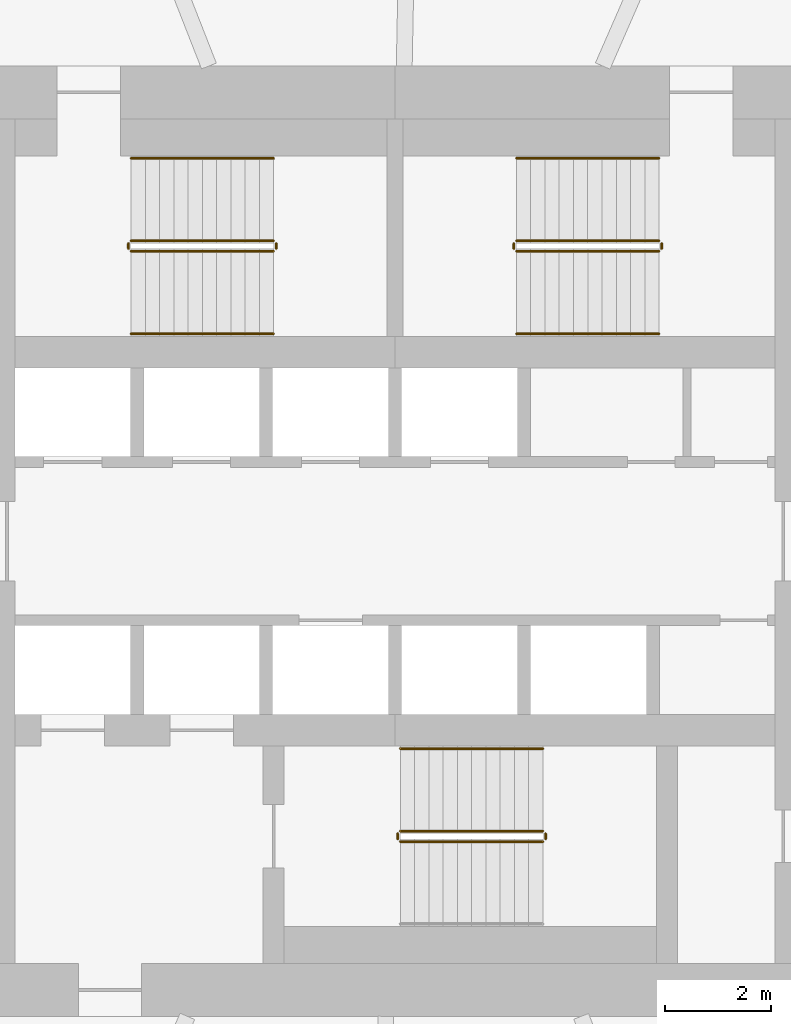
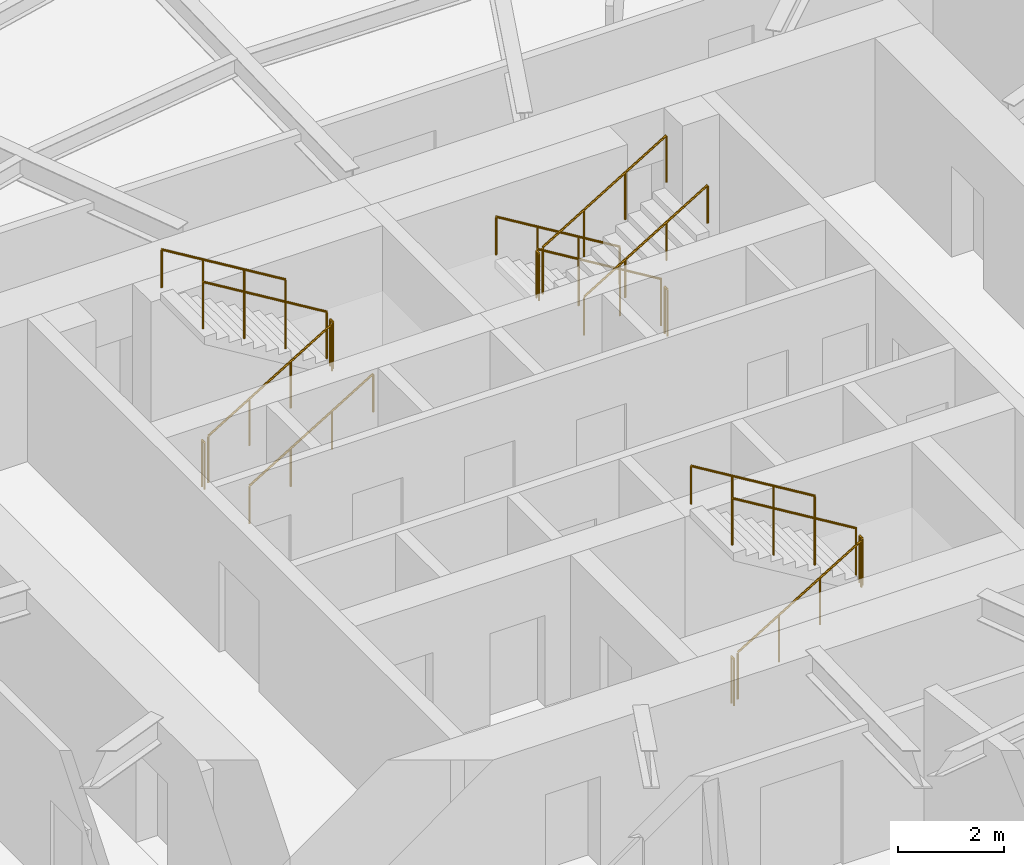
# One storey, part 13 of 14: 17 railings.
"""IFC4 building model written with IfcOpenShell, lengths in metres."""

from ifc_helpers import new_model, si_unit, direction, frame, origin, origin_2d, place, context, subcontext, project, spatial, circle, extrude, material, type_object, element, save


model = new_model("IFC4")

# Units and contexts
model_context = context("Model", 3, precision=1e-05, world=origin(), true_north=direction((0.0, 1.0)))
body_context = subcontext(model_context, "Body", "Model", "MODEL_VIEW")
ifc_project = project(units=[si_unit("LENGTHUNIT", "METRE"), si_unit("AREAUNIT", "SQUARE_METRE"), si_unit("VOLUMEUNIT", "CUBIC_METRE"), si_unit("PLANEANGLEUNIT", "RADIAN"), si_unit("MASSUNIT", "GRAM", prefix="KILO")], contexts=[model_context])

# Site, building, storey
site_placement = place(None, origin())
site = spatial("IfcSite", under=ifc_project, at=site_placement, CompositionType="ELEMENT")
building_placement = place(site_placement, origin())
building = spatial("IfcBuilding", under=site, at=building_placement, Name="Vermilion Reach Broadcast Tower", CompositionType="ELEMENT")
storey_placement = place(building_placement, frame((0.0, 0.0, 165.0)))
storey = spatial("IfcBuildingStorey", under=building, at=storey_placement, Name="L39", CompositionType="ELEMENT", Elevation=165.0)

# Railings
ifc_material_1 = material(Name="Stainless steel", Category="steel")
railing_type_1 = type_object("IfcRailingType", Name="Stair guard 1100", PredefinedType="GUARDRAIL", material=ifc_material_1)
railing_1_placement = place(storey_placement, frame((-11.0, 5.489990234375, 0.16357421875)))
element("IfcRailing", 1, at=railing_1_placement, inside=storey, type_object=railing_type_1, Name="L39 ST1 stair guard 1", PredefinedType="GUARDRAIL", context=body_context, shape_type="SweptSolid", body=[
    extrude(circle(Radius=0.02392578125, at=origin_2d()), frame((0.0, 0.0, 1.076171875), z_axis=(0.855178096276, 0.0, 0.518334277904), x_axis=(0.0, 1.0, 0.0)), (0.0, 0.0, 1.0), 3.1572265625),
    extrude(circle(Radius=0.02099609375, at=origin_2d()), origin(), (0.0, 0.0, 1.0), 1.052001953125),
    extrude(circle(Radius=0.02099609375, at=origin_2d()), frame((0.89990234375, 0.0, 0.54541015625)), (0.0, 0.0, 1.0), 1.052001953125),
    extrude(circle(Radius=0.02099609375, at=origin_2d()), frame((1.800048828125, 0.0, 1.091064453125)), (0.0, 0.0, 1.0), 1.052001953125),
    extrude(circle(Radius=0.02099609375, at=origin_2d()), frame((2.699951171875, 0.0, 1.636474609375)), (0.0, 0.0, 1.0), 1.052001953125),
])
railing_2_placement = place(storey_placement, frame((-8.25, 5.5400390625, 1.800048828125)))
element("IfcRailing", 2, at=railing_2_placement, inside=storey, type_object=railing_type_1, Name="L39 ST1 stair guard 2", PredefinedType="GUARDRAIL", context=body_context, shape_type="SweptSolid", body=[
    extrude(circle(Radius=0.02392578125, at=origin_2d()), frame((0.0, 0.0, 1.076171875), z_axis=(0.0, 1.0, 0.0), x_axis=(-1.0, 0.0, 0.0)), (0.0, 0.0, 1.0), 0.099853515625),
    extrude(circle(Radius=0.02099609375, at=origin_2d()), origin(), (0.0, 0.0, 1.0), 1.052001953125),
    extrude(circle(Radius=0.02099609375, at=origin_2d()), frame((0.0, 0.099853515625, 0.0)), (0.0, 0.0, 1.0), 1.052001953125),
])
railing_3_placement = place(storey_placement, frame((-8.300048828125, 5.68994140625, 1.963623046875)))
element("IfcRailing", 3, at=railing_3_placement, inside=storey, type_object=railing_type_1, Name="L39 ST1 stair guard 3", PredefinedType="GUARDRAIL", context=body_context, shape_type="SweptSolid", body=[
    extrude(circle(Radius=0.02392578125, at=origin_2d()), frame((0.0, 0.0, 1.076171875), z_axis=(-0.855178096276, 0.0, 0.518334277904), x_axis=(0.0, -1.0, 0.0)), (0.0, 0.0, 1.0), 3.1572265625),
    extrude(circle(Radius=0.02099609375, at=origin_2d()), origin(), (0.0, 0.0, 1.0), 1.052001953125),
    extrude(circle(Radius=0.02099609375, at=origin_2d()), frame((-0.89990234375, 0.0, 0.54541015625)), (0.0, 0.0, 1.0), 1.052001953125),
    extrude(circle(Radius=0.02099609375, at=origin_2d()), frame((-1.800048828125, 0.0, 1.091064453125)), (0.0, 0.0, 1.0), 1.052001953125),
    extrude(circle(Radius=0.02099609375, at=origin_2d()), frame((-2.699951171875, 0.0, 1.636474609375)), (0.0, 0.0, 1.0), 1.052001953125),
])
railing_4_placement = place(storey_placement, frame((-11.050048828125, 5.5400390625, 0.0)))
element("IfcRailing", 4, at=railing_4_placement, inside=storey, type_object=railing_type_1, Name="L39 ST1 stair guard 4", PredefinedType="GUARDRAIL", context=body_context, shape_type="SweptSolid", body=[
    extrude(circle(Radius=0.02392578125, at=origin_2d()), frame((0.0, 0.0, 1.076171875), z_axis=(0.0, 1.0, 0.0), x_axis=(-1.0, 0.0, 0.0)), (0.0, 0.0, 1.0), 0.099853515625),
    extrude(circle(Radius=0.02099609375, at=origin_2d()), origin(), (0.0, 0.0, 1.0), 1.052001953125),
    extrude(circle(Radius=0.02099609375, at=origin_2d()), frame((0.0, 0.099853515625, 0.0)), (0.0, 0.0, 1.0), 1.052001953125),
])
railing_5_placement = place(storey_placement, frame((-1.0, 5.68994140625, 0.16357421875)))
element("IfcRailing", 5, at=railing_5_placement, inside=storey, type_object=railing_type_1, Name="L39 ST2 stair guard 1", PredefinedType="GUARDRAIL", context=body_context, shape_type="SweptSolid", body=[
    extrude(circle(Radius=0.02392578125, at=origin_2d()), frame((0.0, 0.0, 1.076171875), z_axis=(-0.855178096276, 0.0, 0.518334277904), x_axis=(0.0, -1.0, 0.0)), (0.0, 0.0, 1.0), 3.1572265625),
    extrude(circle(Radius=0.02099609375, at=origin_2d()), origin(), (0.0, 0.0, 1.0), 1.052001953125),
    extrude(circle(Radius=0.02099609375, at=origin_2d()), frame((-0.89990234375, 0.0, 0.54541015625)), (0.0, 0.0, 1.0), 1.052001953125),
    extrude(circle(Radius=0.02099609375, at=origin_2d()), frame((-1.800048828125, 0.0, 1.091064453125)), (0.0, 0.0, 1.0), 1.052001953125),
    extrude(circle(Radius=0.02099609375, at=origin_2d()), frame((-2.699951171875, 0.0, 1.636474609375)), (0.0, 0.0, 1.0), 1.052001953125),
])
railing_6_placement = place(storey_placement, frame((-3.75, 5.639892578125, 1.800048828125)))
element("IfcRailing", 6, at=railing_6_placement, inside=storey, type_object=railing_type_1, Name="L39 ST2 stair guard 2", PredefinedType="GUARDRAIL", context=body_context, shape_type="SweptSolid", body=[
    extrude(circle(Radius=0.02392578125, at=origin_2d()), frame((0.0, 0.0, 1.076171875), z_axis=(0.0, -1.0, 0.0), x_axis=(1.0, 0.0, 0.0)), (0.0, 0.0, 1.0), 0.099853515625),
    extrude(circle(Radius=0.02099609375, at=origin_2d()), origin(), (0.0, 0.0, 1.0), 1.052001953125),
    extrude(circle(Radius=0.02099609375, at=origin_2d()), frame((0.0, -0.099853515625, 0.0)), (0.0, 0.0, 1.0), 1.052001953125),
])
railing_7_placement = place(storey_placement, frame((-3.699951171875, 5.489990234375, 1.963623046875)))
element("IfcRailing", 7, at=railing_7_placement, inside=storey, type_object=railing_type_1, Name="L39 ST2 stair guard 3", PredefinedType="GUARDRAIL", context=body_context, shape_type="SweptSolid", body=[
    extrude(circle(Radius=0.02392578125, at=origin_2d()), frame((0.0, 0.0, 1.076171875), z_axis=(0.855178096276, 0.0, 0.518334277904), x_axis=(0.0, 1.0, 0.0)), (0.0, 0.0, 1.0), 3.1572265625),
    extrude(circle(Radius=0.02099609375, at=origin_2d()), origin(), (0.0, 0.0, 1.0), 1.052001953125),
    extrude(circle(Radius=0.02099609375, at=origin_2d()), frame((0.89990234375, 0.0, 0.54541015625)), (0.0, 0.0, 1.0), 1.052001953125),
    extrude(circle(Radius=0.02099609375, at=origin_2d()), frame((1.800048828125, 0.0, 1.091064453125)), (0.0, 0.0, 1.0), 1.052001953125),
    extrude(circle(Radius=0.02099609375, at=origin_2d()), frame((2.699951171875, 0.0, 1.636474609375)), (0.0, 0.0, 1.0), 1.052001953125),
])
railing_8_placement = place(storey_placement, frame((-0.949951171875, 5.639892578125, 0.0)))
element("IfcRailing", 8, at=railing_8_placement, inside=storey, type_object=railing_type_1, Name="L39 ST2 stair guard 4", PredefinedType="GUARDRAIL", context=body_context, shape_type="SweptSolid", body=[
    extrude(circle(Radius=0.02392578125, at=origin_2d()), frame((0.0, 0.0, 1.076171875), z_axis=(0.0, -1.0, 0.0), x_axis=(1.0, 0.0, 0.0)), (0.0, 0.0, 1.0), 0.099853515625),
    extrude(circle(Radius=0.02099609375, at=origin_2d()), origin(), (0.0, 0.0, 1.0), 1.052001953125),
    extrude(circle(Radius=0.02099609375, at=origin_2d()), frame((0.0, -0.099853515625, 0.0)), (0.0, 0.0, 1.0), 1.052001953125),
])
railing_9_placement = place(storey_placement, frame((-5.89990234375, -5.68994140625, 0.16357421875)))
element("IfcRailing", 9, at=railing_9_placement, inside=storey, type_object=railing_type_1, Name="L39 ST3 stair guard 1", PredefinedType="GUARDRAIL", context=body_context, shape_type="SweptSolid", body=[
    extrude(circle(Radius=0.02392578125, at=origin_2d()), frame((0.0, 0.0, 1.076171875), z_axis=(0.855178096276, 0.0, 0.518334277904), x_axis=(0.0, 1.0, 0.0)), (0.0, 0.0, 1.0), 3.1572265625),
    extrude(circle(Radius=0.02099609375, at=origin_2d()), origin(), (0.0, 0.0, 1.0), 1.052001953125),
    extrude(circle(Radius=0.02099609375, at=origin_2d()), frame((0.89990234375, 0.0, 0.54541015625)), (0.0, 0.0, 1.0), 1.052001953125),
    extrude(circle(Radius=0.02099609375, at=origin_2d()), frame((1.800048828125, 0.0, 1.091064453125)), (0.0, 0.0, 1.0), 1.052001953125),
    extrude(circle(Radius=0.02099609375, at=origin_2d()), frame((2.699951171875, 0.0, 1.636474609375)), (0.0, 0.0, 1.0), 1.052001953125),
])
railing_10_placement = place(storey_placement, frame((-3.14990234375, -5.639892578125, 1.800048828125)))
element("IfcRailing", 10, at=railing_10_placement, inside=storey, type_object=railing_type_1, Name="L39 ST3 stair guard 2", PredefinedType="GUARDRAIL", context=body_context, shape_type="SweptSolid", body=[
    extrude(circle(Radius=0.02392578125, at=origin_2d()), frame((0.0, 0.0, 1.076171875), z_axis=(0.0, 1.0, 0.0), x_axis=(-1.0, 0.0, 0.0)), (0.0, 0.0, 1.0), 0.099853515625),
    extrude(circle(Radius=0.02099609375, at=origin_2d()), origin(), (0.0, 0.0, 1.0), 1.052001953125),
    extrude(circle(Radius=0.02099609375, at=origin_2d()), frame((0.0, 0.099853515625, 0.0)), (0.0, 0.0, 1.0), 1.052001953125),
])
railing_11_placement = place(storey_placement, frame((-3.199951171875, -5.489990234375, 1.963623046875)))
element("IfcRailing", 11, at=railing_11_placement, inside=storey, type_object=railing_type_1, Name="L39 ST3 stair guard 3", PredefinedType="GUARDRAIL", context=body_context, shape_type="SweptSolid", body=[
    extrude(circle(Radius=0.02392578125, at=origin_2d()), frame((0.0, 0.0, 1.076171875), z_axis=(-0.855178096276, 0.0, 0.518334277904), x_axis=(0.0, -1.0, 0.0)), (0.0, 0.0, 1.0), 3.1572265625),
    extrude(circle(Radius=0.02099609375, at=origin_2d()), origin(), (0.0, 0.0, 1.0), 1.052001953125),
    extrude(circle(Radius=0.02099609375, at=origin_2d()), frame((-0.89990234375, 0.0, 0.54541015625)), (0.0, 0.0, 1.0), 1.052001953125),
    extrude(circle(Radius=0.02099609375, at=origin_2d()), frame((-1.800048828125, 0.0, 1.091064453125)), (0.0, 0.0, 1.0), 1.052001953125),
    extrude(circle(Radius=0.02099609375, at=origin_2d()), frame((-2.699951171875, 0.0, 1.636474609375)), (0.0, 0.0, 1.0), 1.052001953125),
])
railing_12_placement = place(storey_placement, frame((-5.949951171875, -5.639892578125, 0.0)))
element("IfcRailing", 12, at=railing_12_placement, inside=storey, type_object=railing_type_1, Name="L39 ST3 stair guard 4", PredefinedType="GUARDRAIL", context=body_context, shape_type="SweptSolid", body=[
    extrude(circle(Radius=0.02392578125, at=origin_2d()), frame((0.0, 0.0, 1.076171875), z_axis=(0.0, 1.0, 0.0), x_axis=(-1.0, 0.0, 0.0)), (0.0, 0.0, 1.0), 0.099853515625),
    extrude(circle(Radius=0.02099609375, at=origin_2d()), origin(), (0.0, 0.0, 1.0), 1.052001953125),
    extrude(circle(Radius=0.02099609375, at=origin_2d()), frame((0.0, 0.099853515625, 0.0)), (0.0, 0.0, 1.0), 1.052001953125),
])
ifc_material_2 = material(Name="Stainless steel", Category="steel")
railing_type_2 = type_object("IfcRailingType", Name="Stair handrail", PredefinedType="HANDRAIL", material=ifc_material_2)
railing_13_placement = place(storey_placement, frame((-11.0, 3.929931640625, 0.16357421875)))
element("IfcRailing", 13, at=railing_13_placement, inside=storey, type_object=railing_type_2, Name="L39 ST1 stair handrail 1", PredefinedType="HANDRAIL", context=body_context, shape_type="SweptSolid", body=[
    extrude(circle(Radius=0.02392578125, at=origin_2d()), frame((0.0, 0.0, 0.8759765625), z_axis=(0.855178096276, 0.0, 0.518334277904), x_axis=(0.0, 1.0, 0.0)), (0.0, 0.0, 1.0), 3.1572265625),
    extrude(circle(Radius=0.02099609375, at=origin_2d()), origin(), (0.0, 0.0, 1.0), 0.851806640625),
    extrude(circle(Radius=0.02099609375, at=origin_2d()), frame((0.89990234375, 0.0, 0.54541015625)), (0.0, 0.0, 1.0), 0.851806640625),
    extrude(circle(Radius=0.02099609375, at=origin_2d()), frame((1.800048828125, 0.0, 1.091064453125)), (0.0, 0.0, 1.0), 0.851806640625),
    extrude(circle(Radius=0.02099609375, at=origin_2d()), frame((2.699951171875, 0.0, 1.636474609375)), (0.0, 0.0, 1.0), 0.851806640625),
])
for number, where, name in (
    (14, (-8.300048828125, 7.25, 1.963623046875), "L39 ST1 stair handrail 2"),
    (15, (-1.0, 7.25, 0.16357421875), "L39 ST2 stair handrail 1"),
):
    element("IfcRailing", number, at=place(storey_placement, frame(where)), inside=storey, type_object=railing_type_2, Name=name, PredefinedType="HANDRAIL", context=body_context, shape_type="SweptSolid", body=[
        extrude(circle(Radius=0.02392578125, at=origin_2d()), frame((0.0, 0.0, 0.8759765625), z_axis=(-0.855178096276, 0.0, 0.518334277904), x_axis=(0.0, -1.0, 0.0)), (0.0, 0.0, 1.0), 3.1572265625),
        extrude(circle(Radius=0.02099609375, at=origin_2d()), origin(), (0.0, 0.0, 1.0), 0.851806640625),
        extrude(circle(Radius=0.02099609375, at=origin_2d()), frame((-0.89990234375, 0.0, 0.54541015625)), (0.0, 0.0, 1.0), 0.851806640625),
        extrude(circle(Radius=0.02099609375, at=origin_2d()), frame((-1.800048828125, 0.0, 1.091064453125)), (0.0, 0.0, 1.0), 0.851806640625),
        extrude(circle(Radius=0.02099609375, at=origin_2d()), frame((-2.699951171875, 0.0, 1.636474609375)), (0.0, 0.0, 1.0), 0.851806640625),
    ])
railing_14_placement = place(storey_placement, frame((-3.699951171875, 3.929931640625, 1.963623046875)))
element("IfcRailing", 16, at=railing_14_placement, inside=storey, type_object=railing_type_2, Name="L39 ST2 stair handrail 2", PredefinedType="HANDRAIL", context=body_context, shape_type="SweptSolid", body=[
    extrude(circle(Radius=0.02392578125, at=origin_2d()), frame((0.0, 0.0, 0.8759765625), z_axis=(0.855178096276, 0.0, 0.518334277904), x_axis=(0.0, 1.0, 0.0)), (0.0, 0.0, 1.0), 3.1572265625),
    extrude(circle(Radius=0.02099609375, at=origin_2d()), origin(), (0.0, 0.0, 1.0), 0.851806640625),
    extrude(circle(Radius=0.02099609375, at=origin_2d()), frame((0.89990234375, 0.0, 0.54541015625)), (0.0, 0.0, 1.0), 0.851806640625),
    extrude(circle(Radius=0.02099609375, at=origin_2d()), frame((1.800048828125, 0.0, 1.091064453125)), (0.0, 0.0, 1.0), 0.851806640625),
    extrude(circle(Radius=0.02099609375, at=origin_2d()), frame((2.699951171875, 0.0, 1.636474609375)), (0.0, 0.0, 1.0), 0.851806640625),
])
railing_15_placement = place(storey_placement, frame((-3.199951171875, -3.929931640625, 1.963623046875)))
element("IfcRailing", 17, at=railing_15_placement, inside=storey, type_object=railing_type_2, Name="L39 ST3 stair handrail 2", PredefinedType="HANDRAIL", context=body_context, shape_type="SweptSolid", body=[
    extrude(circle(Radius=0.02392578125, at=origin_2d()), frame((0.0, 0.0, 0.8759765625), z_axis=(-0.855178096276, 0.0, 0.518334277904), x_axis=(0.0, -1.0, 0.0)), (0.0, 0.0, 1.0), 3.1572265625),
    extrude(circle(Radius=0.02099609375, at=origin_2d()), origin(), (0.0, 0.0, 1.0), 0.851806640625),
    extrude(circle(Radius=0.02099609375, at=origin_2d()), frame((-0.89990234375, 0.0, 0.54541015625)), (0.0, 0.0, 1.0), 0.851806640625),
    extrude(circle(Radius=0.02099609375, at=origin_2d()), frame((-1.800048828125, 0.0, 1.091064453125)), (0.0, 0.0, 1.0), 0.851806640625),
    extrude(circle(Radius=0.02099609375, at=origin_2d()), frame((-2.699951171875, 0.0, 1.636474609375)), (0.0, 0.0, 1.0), 0.851806640625),
])

save(model, "model.ifc")
